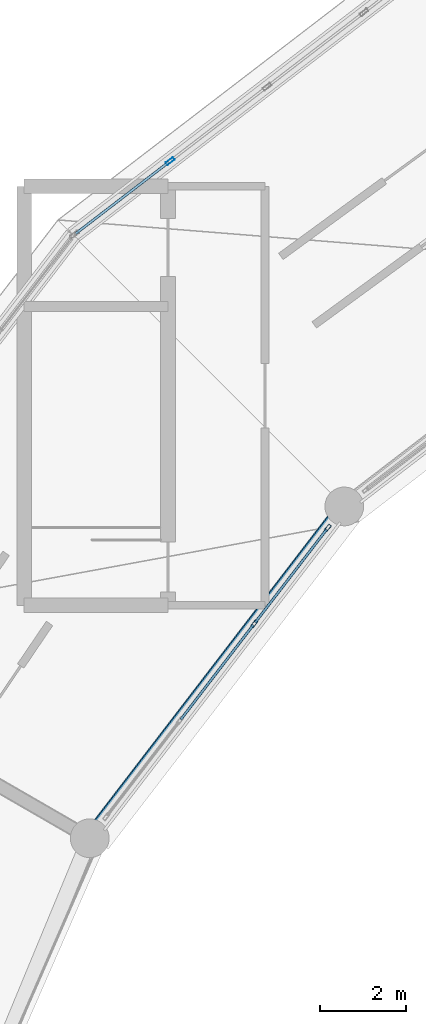
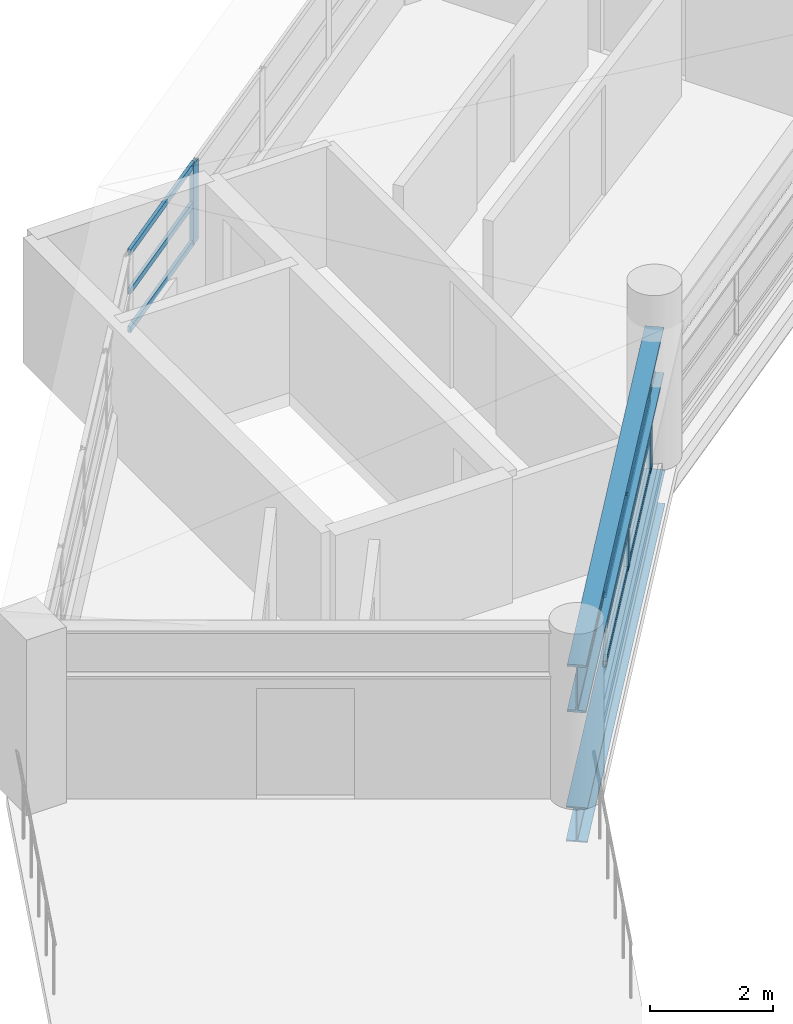
# One storey, part 4 of 12: 12 members, 2 beams, 2 elements without a shape of their own.
"""IFC4 building model written with IfcOpenShell, lengths in metres."""

import ifcopenshell
import ifcopenshell.guid

model = None  # the IFC model being written
_history = None  # IfcOwnerHistory: only IFC2X3 demands one
_inside = {}  # id of a spatial element -> (the spatial element, [elements in it])
_under = {}  # id of a project, library or spatial element -> (it, [spatial elements below it])
_declared = {}  # id of a project -> (the project, [libraries it declares])
_typed = {}  # id of a type object -> (the type object, [elements of that type])
_made_of = {}  # id of a material, layer set ... -> (it, [elements and type objects made of it])


def new_model(schema):
    """Start an empty IFC model of exactly this schema.

    Asked for "IFC4X3", IfcOpenShell would pick the latest addendum, in which some entities
    have other attributes; the version numbers below select the first issue.
    IFC2X3 requires an IfcOwnerHistory on every rooted entity: one is made here for all.
    """
    global model, _history
    if schema == "IFC4X3":
        model = ifcopenshell.file(schema_version=(4, 3, 0, 0))
    else:
        model = ifcopenshell.file(schema=schema)
    _inside.clear()
    _under.clear()
    _declared.clear()
    _typed.clear()
    _made_of.clear()
    _history = None
    if model.schema == "IFC2X3":
        org = make("IfcOrganization", Name="unknown")
        user = make(
            "IfcPersonAndOrganization",
            ThePerson=make("IfcPerson", FamilyName="unknown"),
            TheOrganization=org,
        )
        app = make(
            "IfcApplication",
            ApplicationDeveloper=org,
            Version="unknown",
            ApplicationFullName="unknown",
            ApplicationIdentifier="unknown",
        )
        _history = make(
            "IfcOwnerHistory",
            OwningUser=user,
            OwningApplication=app,
            ChangeAction="ADDED",
            CreationDate=0,
        )
    return model


def make(cls, **values):
    """One entity of the class cls with the attributes given. An attribute that is None is left unset."""
    return model.create_entity(
        cls, **{name: value for name, value in values.items() if value is not None}
    )


def rooted(cls, **values):
    """An entity with a GlobalId (a new one), such as an element, a storey or a relation."""
    return make(cls, GlobalId=ifcopenshell.guid.new(), OwnerHistory=_history, **values)


def si_unit(unit_type, name, prefix=None):
    """IfcSIUnit, for example si_unit("LENGTHUNIT", "METRE", prefix="MILLI")."""
    return make("IfcSIUnit", UnitType=unit_type, Prefix=prefix, Name=name)


def assignment(units):
    """IfcUnitAssignment: the units of a project."""
    return None if units is None else make("IfcUnitAssignment", Units=units)


def point(xyz):
    """IfcCartesianPoint."""
    return None if xyz is None else make("IfcCartesianPoint", Coordinates=xyz)


def direction(xyz):
    """IfcDirection."""
    return None if xyz is None else make("IfcDirection", DirectionRatios=xyz)


def frame(location, z_axis=None, x_axis=None):
    """IfcAxis2Placement3D, a coordinate frame: its origin and axes. An axis left out is left unset."""
    return make(
        "IfcAxis2Placement3D",
        Location=point(location),
        Axis=direction(z_axis),
        RefDirection=direction(x_axis),
    )


def frame_2d(location, x_axis=None):
    """IfcAxis2Placement2D, a coordinate frame in the plane: its origin and x axis."""
    return make(
        "IfcAxis2Placement2D", Location=point(location), RefDirection=direction(x_axis)
    )


def origin():
    """The frame at (0, 0, 0) with its axes left unset."""
    return frame((0.0, 0.0, 0.0))


def origin_2d():
    """The frame at (0, 0) in the plane with its x axis left unset."""
    return frame_2d((0.0, 0.0))


def place(relative_to, where):
    """IfcLocalPlacement: puts the frame where relative to a parent placement (None: the world)."""
    return make(
        "IfcLocalPlacement", PlacementRelTo=relative_to, RelativePlacement=where
    )


def context(
    kind, dimensions, precision=None, world=None, true_north=None, identifier=None
):
    """IfcGeometricRepresentationContext, for example the 3D "Model" context."""
    return make(
        "IfcGeometricRepresentationContext",
        ContextIdentifier=identifier,
        ContextType=kind,
        CoordinateSpaceDimension=dimensions,
        Precision=precision,
        WorldCoordinateSystem=world,
        TrueNorth=true_north,
    )


def subcontext(parent, identifier, kind, view, scale=None):
    """IfcGeometricRepresentationSubContext, for example "Body" below "Model"."""
    return make(
        "IfcGeometricRepresentationSubContext",
        ContextIdentifier=identifier,
        ContextType=kind,
        ParentContext=parent,
        TargetScale=scale,
        TargetView=view,
    )


def project(units=None, contexts=None):
    """IfcProject with its units and contexts."""
    return rooted(
        "IfcProject",
        Name="project",
        RepresentationContexts=contexts,
        UnitsInContext=assignment(units),
    )


def spatial(cls, under=None, at=None, **own):
    """A site, building, storey or space (cls), placed at a placement, below another one or the project."""
    s = rooted(cls, ObjectPlacement=at, **own)
    if under is not None:
        _under.setdefault(under.id(), (under, []))[1].append(s)
    return s


def profile(cls, at=None, kind="AREA", **sizes):
    """A parametric profile (cls). Its sizes go by their IFC names, for example OverallWidth=200.0."""
    return make(cls, ProfileType=kind, Position=at, **sizes)


def hollow_rectangle(**sizes):
    """IfcRectangleHollowProfileDef."""
    return profile("IfcRectangleHollowProfileDef", **sizes)


def i_section(**sizes):
    """IfcIShapeProfileDef."""
    return profile("IfcIShapeProfileDef", **sizes)


def extrude(swept, where, along, depth):
    """IfcExtrudedAreaSolid: the profile swept, set in the frame where, extruded along a direction by depth."""
    return make(
        "IfcExtrudedAreaSolid",
        SweptArea=swept,
        Position=where,
        ExtrudedDirection=direction(along),
        Depth=depth,
    )


def shape(context_of_items, identifier, shape_type, items):
    """IfcShapeRepresentation: the items that make up one representation, for example the "Body"."""
    return make(
        "IfcShapeRepresentation",
        ContextOfItems=context_of_items,
        RepresentationIdentifier=identifier,
        RepresentationType=shape_type,
        Items=items,
    )


def material(Name=None, Category=None):
    """IfcMaterial."""
    return make("IfcMaterial", Name=Name, Category=Category)


def layer(
    of_material, thickness, ventilated=None, Name=None, Category=None, Priority=None
):
    """IfcMaterialLayer: one layer of a wall or slab, of a material (None: an air gap)."""
    return make(
        "IfcMaterialLayer",
        Material=of_material,
        LayerThickness=thickness,
        IsVentilated=ventilated,
        Name=Name,
        Category=Category,
        Priority=Priority,
    )


def layer_set(layers, Name=None):
    """IfcMaterialLayerSet."""
    return make("IfcMaterialLayerSet", MaterialLayers=layers, LayerSetName=Name)


def material_profile(
    of_material, cross_section, Name=None, Category=None, Priority=None
):
    """IfcMaterialProfile: a cross section and its material."""
    return make(
        "IfcMaterialProfile",
        Name=Name,
        Material=of_material,
        Profile=cross_section,
        Priority=Priority,
        Category=Category,
    )


def profile_set(profiles, Name=None, composite=None):
    """IfcMaterialProfileSet."""
    return make(
        "IfcMaterialProfileSet",
        Name=Name,
        MaterialProfiles=profiles,
        CompositeProfile=composite,
    )


def made_of(thing, what):
    """Note that an element or type object is made of a material, layer set ...; save() writes the relation."""
    if what is not None:
        _made_of.setdefault(what.id(), (what, []))[1].append(thing)
    return thing


def type_object(cls, material=None, **own):
    """A type object (cls), such as IfcWallType, which elements share."""
    return made_of(rooted(cls, **own), material)


def element(
    cls,
    number,
    at=None,
    inside=None,
    cuts=None,
    type_object=None,
    material=None,
    context=None,
    identifier="Body",
    shape_type=None,
    held_by="IfcProductDefinitionShape",
    body=None,
    shapes=None,
    **own,
):
    """One element of the class cls, such as IfcWall. Its Tag is "e" and its number.

    at: its placement. inside: the storey or other place that contains it. cuts: it is an
    opening in that element (IfcRelVoidsElement). A single representation is given by context,
    identifier, shape_type and body (its items); several are given by shapes. held_by: the class
    of the entity that holds the representations. save() writes the other relations.
    """
    e = rooted(cls, Tag="e%d" % number, ObjectPlacement=at, **own)
    if body is not None:
        shapes = [shape(context, identifier, shape_type, body)]
    if shapes is not None:
        e.Representation = make(held_by, Representations=shapes)
    if inside is not None:
        _inside.setdefault(inside.id(), (inside, []))[1].append(e)
    if cuts is not None:
        rooted(
            "IfcRelVoidsElement", RelatingBuildingElement=cuts, RelatedOpeningElement=e
        )
    if type_object is not None:
        _typed.setdefault(type_object.id(), (type_object, []))[1].append(e)
    return made_of(e, material)


def aggregate(whole, parts):
    """IfcRelAggregates: a whole, such as a stair, and the parts it consists of."""
    return rooted("IfcRelAggregates", RelatingObject=whole, RelatedObjects=parts)


def save(model, path):
    """Write the relations noted so far, then the file.

    IfcRelAggregates (storeys below a building ...), IfcRelContainedInSpatialStructure (elements
    in a storey), IfcRelDefinesByType, IfcRelAssociatesMaterial and IfcRelDeclares: one each for
    every whole, place, type object, material and project.
    """
    for whole, parts in _under.values():
        aggregate(whole, parts)
    for where, things in _inside.values():
        rooted(
            "IfcRelContainedInSpatialStructure",
            RelatedElements=things,
            RelatingStructure=where,
        )
    for kind, things in _typed.values():
        rooted("IfcRelDefinesByType", RelatedObjects=things, RelatingType=kind)
    for what, things in _made_of.values():
        rooted("IfcRelAssociatesMaterial", RelatedObjects=things, RelatingMaterial=what)
    for by, libraries in _declared.values():
        rooted("IfcRelDeclares", RelatingContext=by, RelatedDefinitions=libraries)
    model.write(path)


model = new_model("IFC4")

# Units and contexts
model_context = context("Model", 3, precision=1e-05, world=origin(), true_north=direction((0.0, 1.0)))
body_context = subcontext(model_context, "Body", "Model", "MODEL_VIEW")
ifc_project = project(units=[si_unit("LENGTHUNIT", "METRE"), si_unit("AREAUNIT", "SQUARE_METRE"), si_unit("VOLUMEUNIT", "CUBIC_METRE"), si_unit("PLANEANGLEUNIT", "RADIAN"), si_unit("MASSUNIT", "GRAM", prefix="KILO")], contexts=[model_context])

# Site, building, storey
site_placement = place(None, origin())
site = spatial("IfcSite", under=ifc_project, at=site_placement, CompositionType="ELEMENT")
building_placement = place(site_placement, origin())
building = spatial("IfcBuilding", under=site, at=building_placement, Name="Vespera Passage Community Centre", CompositionType="ELEMENT")
storey_placement = place(building_placement, frame((0.0, 0.0, 24.300048828125)))
storey = spatial("IfcBuildingStorey", under=building, at=storey_placement, Name="ROOF", CompositionType="ELEMENT", Elevation=24.300048828125)

# Beam
ifc_material_1 = material(Name="Steel ASTM A992 Grade 50", Category="steel")
ifc_material_profile_1 = material_profile(ifc_material_1, i_section(OverallWidth=0.3544921875, OverallDepth=0.695556640625, WebThickness=0.015380859375, FlangeThickness=0.024658203125, FilletRadius=0.01513671875, at=origin_2d()), Name="W27X146")
ifc_profile_set_1 = profile_set([ifc_material_profile_1], Name="Steel ASTM A992 Grade 50")
beam_type_1 = type_object("IfcBeamType", Name="BM-SP-W27X146E", PredefinedType="SPANDREL", material=ifc_profile_set_1)
beam_1_placement = place(storey_placement, frame((51.695556640625, 91.804443359375, -0.60791015625), z_axis=(-0.60875291963, -0.793359869694, 0.0), x_axis=(0.793359869694, -0.60875291963, 0.0)))
element("IfcBeam", 1, at=beam_1_placement, inside=storey, type_object=beam_type_1, Name="V4 ROOF Inner Spandrel 9", PredefinedType="SPANDREL", context=body_context, shape_type="SweptSolid", body=[
    extrude(i_section(OverallWidth=0.3544921875, OverallDepth=0.695556640625, WebThickness=0.015380859375, FlangeThickness=0.024658203125, FilletRadius=0.01513671875, at=origin_2d()), origin(), (0.0, 0.0, 1.0), 9.7109375),
])

# Curtain wall, members
ifc_material_2 = material(Name="Anodized aluminium 6063-T6", Category="aluminium")
ifc_layer_1 = layer(ifc_material_2, 0.159912109375)
ifc_layer_set_1 = layer_set([ifc_layer_1], Name="Anodized aluminium 6063-T6")
curtain_wall_type_1 = type_object("IfcCurtainWallType", Name="CW-82E", PredefinedType="NOTDEFINED", material=ifc_layer_set_1)
curtain_wall_1_placement = place(storey_placement, origin())
curtain_wall_1 = element("IfcCurtainWall", 2, at=curtain_wall_1_placement, inside=storey, type_object=curtain_wall_type_1, Name="V4 ROOF Inner Court Curtain Wall 9", PredefinedType="NOTDEFINED")
ifc_material_3 = material(Name="Anodized aluminium 6063-T6", Category="aluminium")
ifc_material_profile_2 = material_profile(ifc_material_3, hollow_rectangle(XDim=0.074951171875, YDim=0.179931640625, WallThickness=0.0048828125, InnerFilletRadius=0.00244140625, OuterFilletRadius=0.0048828125, at=origin_2d()), Name="ALU180X75X5")
ifc_profile_set_2 = profile_set([ifc_material_profile_2], Name="Anodized aluminium 6063-T6")
member_type_1 = type_object("IfcMemberType", Name="MB-CWM-180E", PredefinedType="MULLION", material=ifc_profile_set_2)
member_1_placement = place(storey_placement, frame((51.311767578125, 91.303955078125, 0.14990234375), z_axis=(0.0, 0.0, 1.0), x_axis=(0.793358205999, -0.608755087843, 0.0)))
member_1 = element("IfcMember", 3, at=member_1_placement, type_object=member_type_1, Name="CW-82E mullion 1", PredefinedType="MULLION", context=body_context, shape_type="SweptSolid", body=[
    extrude(hollow_rectangle(XDim=0.074951171875, YDim=0.179931640625, WallThickness=0.0048828125, InnerFilletRadius=0.00244140625, OuterFilletRadius=0.0048828125, at=origin_2d()), origin(), (0.0, 0.0, 1.0), 1.439697265625),
])
member_2_placement = place(storey_placement, frame((49.604736328125, 89.079345703125, 0.14990234375), z_axis=(0.0, 0.0, 1.0), x_axis=(0.793358205999, -0.608755087843, 0.0)))
member_2 = element("IfcMember", 4, at=member_2_placement, type_object=member_type_1, Name="CW-82E mullion 2", PredefinedType="MULLION", context=body_context, shape_type="SweptSolid", body=[
    extrude(hollow_rectangle(XDim=0.074951171875, YDim=0.179931640625, WallThickness=0.0048828125, InnerFilletRadius=0.00244140625, OuterFilletRadius=0.0048828125, at=origin_2d()), origin(), (0.0, 0.0, 1.0), 1.439697265625),
])

ifc_material_4 = material(Name="Anodized aluminium 6063-T6", Category="aluminium")
ifc_layer_2 = layer(ifc_material_4, 0.159912109375)
ifc_layer_set_2 = layer_set([ifc_layer_2], Name="Anodized aluminium 6063-T6")
curtain_wall_type_2 = type_object("IfcCurtainWallType", Name="CW-79E", PredefinedType="NOTDEFINED", material=ifc_layer_set_2)
curtain_wall_2_placement = place(storey_placement, origin())
curtain_wall_2 = element("IfcCurtainWall", 5, at=curtain_wall_2_placement, inside=storey, type_object=curtain_wall_type_2, Name="V4 ROOF Outer Ribbon Curtain Wall 8", PredefinedType="NOTDEFINED")
ifc_material_5 = material(Name="Anodized aluminium 6063-T6", Category="aluminium")
ifc_material_profile_3 = material_profile(ifc_material_5, hollow_rectangle(XDim=0.074951171875, YDim=0.2099609375, WallThickness=0.0048828125, InnerFilletRadius=0.00244140625, OuterFilletRadius=0.0048828125, at=origin_2d()), Name="ALU210X75X5")
ifc_profile_set_3 = profile_set([ifc_material_profile_3], Name="Anodized aluminium 6063-T6")
member_type_2 = type_object("IfcMemberType", Name="MB-CWM-210E", PredefinedType="MULLION", material=ifc_profile_set_3)
member_3_placement = place(storey_placement, frame((47.65283203125, 99.824462890625, 0.820068359375), z_axis=(0.0, 0.0, 1.0), x_axis=(-0.608768221519, 0.793348128169, 0.0)))
member_3 = element("IfcMember", 6, at=member_3_placement, type_object=member_type_2, Name="CW-79E mullion 2", PredefinedType="MULLION", context=body_context, shape_type="SweptSolid", body=[
    extrude(hollow_rectangle(XDim=0.074951171875, YDim=0.2099609375, WallThickness=0.0048828125, InnerFilletRadius=0.00244140625, OuterFilletRadius=0.0048828125, at=origin_2d()), origin(), (0.0, 0.0, 1.0), 1.599853515625),
])
ifc_material_6 = material(Name="Anodized aluminium 6063-T6", Category="aluminium")
ifc_material_profile_4 = material_profile(ifc_material_6, hollow_rectangle(XDim=0.06005859375, YDim=0.1201171875, WallThickness=0.00390625, InnerFilletRadius=0.001953125, OuterFilletRadius=0.00390625, at=origin_2d()), Name="ALU120X60X4")
ifc_profile_set_4 = profile_set([ifc_material_profile_4], Name="Anodized aluminium 6063-T6")
member_type_3 = type_object("IfcMemberType", Name="MB-CWT-120E", PredefinedType="USERDEFINED", material=ifc_profile_set_4)
member_4_placement = place(storey_placement, frame((45.4619140625, 98.143310546875, 0.849853515625), z_axis=(0.793326438597, 0.608796486375, 0.0), x_axis=(-0.608796486375, 0.793326438597, 0.0)))
member_4 = element("IfcMember", 7, at=member_4_placement, type_object=member_type_3, Name="CW-79E transom 1.1", ObjectType="TRANSOM", PredefinedType="USERDEFINED", context=body_context, shape_type="SweptSolid", body=[
    extrude(hollow_rectangle(XDim=0.06005859375, YDim=0.1201171875, WallThickness=0.00390625, InnerFilletRadius=0.001953125, OuterFilletRadius=0.00390625, at=origin_2d()), origin(), (0.0, 0.0, 1.0), 2.72412109375),
])
member_5_placement = place(storey_placement, frame((45.4619140625, 98.143310546875, 1.619873046875), z_axis=(0.793326438597, 0.608796486375, 0.0), x_axis=(-0.608796486375, 0.793326438597, 0.0)))
member_5 = element("IfcMember", 8, at=member_5_placement, type_object=member_type_3, Name="CW-79E transom 1.2", ObjectType="TRANSOM", PredefinedType="USERDEFINED", context=body_context, shape_type="SweptSolid", body=[
    extrude(hollow_rectangle(XDim=0.06005859375, YDim=0.1201171875, WallThickness=0.00390625, InnerFilletRadius=0.001953125, OuterFilletRadius=0.00390625, at=origin_2d()), origin(), (0.0, 0.0, 1.0), 2.72412109375),
])
member_6_placement = place(storey_placement, frame((45.4619140625, 98.143310546875, 2.389892578125), z_axis=(0.793326438597, 0.608796486375, 0.0), x_axis=(-0.608796486375, 0.793326438597, 0.0)))
member_6 = element("IfcMember", 9, at=member_6_placement, type_object=member_type_3, Name="CW-79E transom 1.3", ObjectType="TRANSOM", PredefinedType="USERDEFINED", context=body_context, shape_type="SweptSolid", body=[
    extrude(hollow_rectangle(XDim=0.06005859375, YDim=0.1201171875, WallThickness=0.00390625, InnerFilletRadius=0.001953125, OuterFilletRadius=0.00390625, at=origin_2d()), origin(), (0.0, 0.0, 1.0), 2.72412109375),
])
aggregate(curtain_wall_2, [member_3, member_4, member_5, member_6])

# Member
member_7_placement = place(storey_placement, frame((51.288818359375, 91.2744140625, 0.179931640625), z_axis=(-0.608737609183, -0.793371617318, 0.0), x_axis=(0.793371617318, -0.608737609183, 0.0)))
member_7 = element("IfcMember", 10, at=member_7_placement, type_object=member_type_3, Name="CW-82E transom 1.1", ObjectType="TRANSOM", PredefinedType="USERDEFINED", context=body_context, shape_type="SweptSolid", body=[
    extrude(hollow_rectangle(XDim=0.06005859375, YDim=0.1201171875, WallThickness=0.00390625, InnerFilletRadius=0.001953125, OuterFilletRadius=0.00390625, at=origin_2d()), origin(), (0.0, 0.0, 1.0), 2.729248046875),
])

member_8_placement = place(storey_placement, frame((51.288818359375, 91.2744140625, 0.869873046875), z_axis=(-0.608737609183, -0.793371617318, 0.0), x_axis=(0.793371617318, -0.608737609183, 0.0)))
member_8 = element("IfcMember", 11, at=member_8_placement, type_object=member_type_3, Name="CW-82E transom 1.2", ObjectType="TRANSOM", PredefinedType="USERDEFINED", context=body_context, shape_type="SweptSolid", body=[
    extrude(hollow_rectangle(XDim=0.06005859375, YDim=0.1201171875, WallThickness=0.00390625, InnerFilletRadius=0.001953125, OuterFilletRadius=0.00390625, at=origin_2d()), origin(), (0.0, 0.0, 1.0), 2.729248046875),
])

member_9_placement = place(storey_placement, frame((51.288818359375, 91.2744140625, 1.5595703125), z_axis=(-0.608737609183, -0.793371617318, 0.0), x_axis=(0.793371617318, -0.608737609183, 0.0)))
member_9 = element("IfcMember", 12, at=member_9_placement, type_object=member_type_3, Name="CW-82E transom 1.3", ObjectType="TRANSOM", PredefinedType="USERDEFINED", context=body_context, shape_type="SweptSolid", body=[
    extrude(hollow_rectangle(XDim=0.06005859375, YDim=0.1201171875, WallThickness=0.00390625, InnerFilletRadius=0.001953125, OuterFilletRadius=0.00390625, at=origin_2d()), origin(), (0.0, 0.0, 1.0), 2.729248046875),
])

member_10_placement = place(storey_placement, frame((49.581787109375, 89.049560546875, 0.179931640625), z_axis=(-0.608746452695, -0.793364831796, 0.0), x_axis=(0.793364831796, -0.608746452695, 0.0)))
member_10 = element("IfcMember", 13, at=member_10_placement, type_object=member_type_3, Name="CW-82E transom 2.1", ObjectType="TRANSOM", PredefinedType="USERDEFINED", context=body_context, shape_type="SweptSolid", body=[
    extrude(hollow_rectangle(XDim=0.06005859375, YDim=0.1201171875, WallThickness=0.00390625, InnerFilletRadius=0.001953125, OuterFilletRadius=0.00390625, at=origin_2d()), origin(), (0.0, 0.0, 1.0), 2.766357421875),
])

member_11_placement = place(storey_placement, frame((49.581787109375, 89.049560546875, 0.869873046875), z_axis=(-0.608746452695, -0.793364831796, 0.0), x_axis=(0.793364831796, -0.608746452695, 0.0)))
member_11 = element("IfcMember", 14, at=member_11_placement, type_object=member_type_3, Name="CW-82E transom 2.2", ObjectType="TRANSOM", PredefinedType="USERDEFINED", context=body_context, shape_type="SweptSolid", body=[
    extrude(hollow_rectangle(XDim=0.06005859375, YDim=0.1201171875, WallThickness=0.00390625, InnerFilletRadius=0.001953125, OuterFilletRadius=0.00390625, at=origin_2d()), origin(), (0.0, 0.0, 1.0), 2.766357421875),
])

member_12_placement = place(storey_placement, frame((49.581787109375, 89.049560546875, 1.5595703125), z_axis=(-0.608746452695, -0.793364831796, 0.0), x_axis=(0.793364831796, -0.608746452695, 0.0)))
member_12 = element("IfcMember", 15, at=member_12_placement, type_object=member_type_3, Name="CW-82E transom 2.3", ObjectType="TRANSOM", PredefinedType="USERDEFINED", context=body_context, shape_type="SweptSolid", body=[
    extrude(hollow_rectangle(XDim=0.06005859375, YDim=0.1201171875, WallThickness=0.00390625, InnerFilletRadius=0.001953125, OuterFilletRadius=0.00390625, at=origin_2d()), origin(), (0.0, 0.0, 1.0), 2.766357421875),
])

aggregate(curtain_wall_1, [member_1, member_2, member_7, member_8, member_9, member_10, member_11, member_12])

# Beam
ifc_material_7 = material(Name="Steel ASTM A992 Grade 50", Category="steel")
ifc_material_profile_5 = material_profile(ifc_material_7, i_section(OverallWidth=0.310302734375, OverallDepth=0.950439453125, WebThickness=0.0244140625, FlangeThickness=0.0439453125, FilletRadius=0.024169921875, at=origin_2d()), Name="W36X256")
ifc_profile_set_5 = profile_set([ifc_material_profile_5], Name="Steel ASTM A992 Grade 50")
beam_type_2 = type_object("IfcBeamType", Name="TG-256", PredefinedType="USERDEFINED", material=ifc_profile_set_5)
beam_2_placement = place(storey_placement, frame((51.695556640625, 91.804443359375, 2.099853515625), z_axis=(-0.60875291963, -0.793359869694, 0.0), x_axis=(0.793359869694, -0.60875291963, 0.0)))
element("IfcBeam", 16, at=beam_2_placement, inside=storey, type_object=beam_type_2, Name="ROOF Belvedere Inner Ridge Beam 9", ObjectType="TRANSFER GIRDER", PredefinedType="USERDEFINED", context=body_context, shape_type="SweptSolid", body=[
    extrude(i_section(OverallWidth=0.310302734375, OverallDepth=0.950439453125, WebThickness=0.0244140625, FlangeThickness=0.0439453125, FilletRadius=0.024169921875, at=origin_2d()), origin(), (0.0, 0.0, 1.0), 9.7109375),
])

save(model, "model.ifc")
